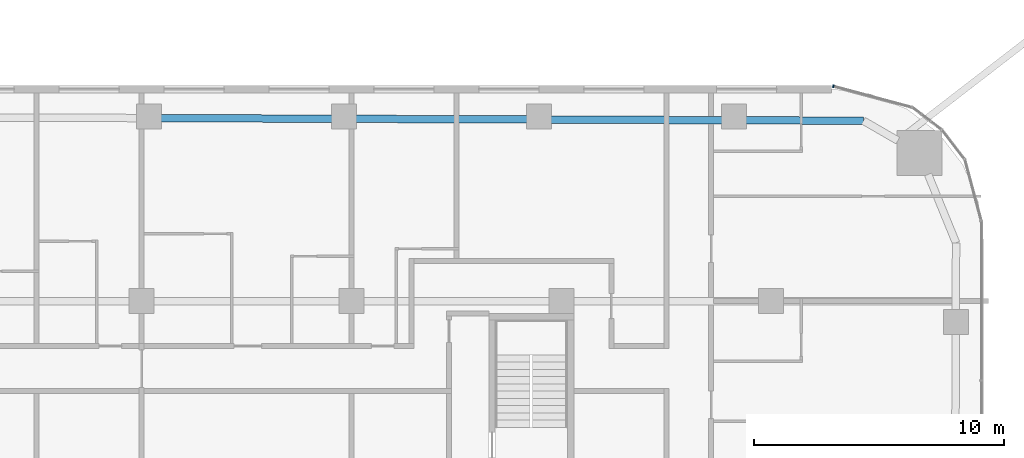
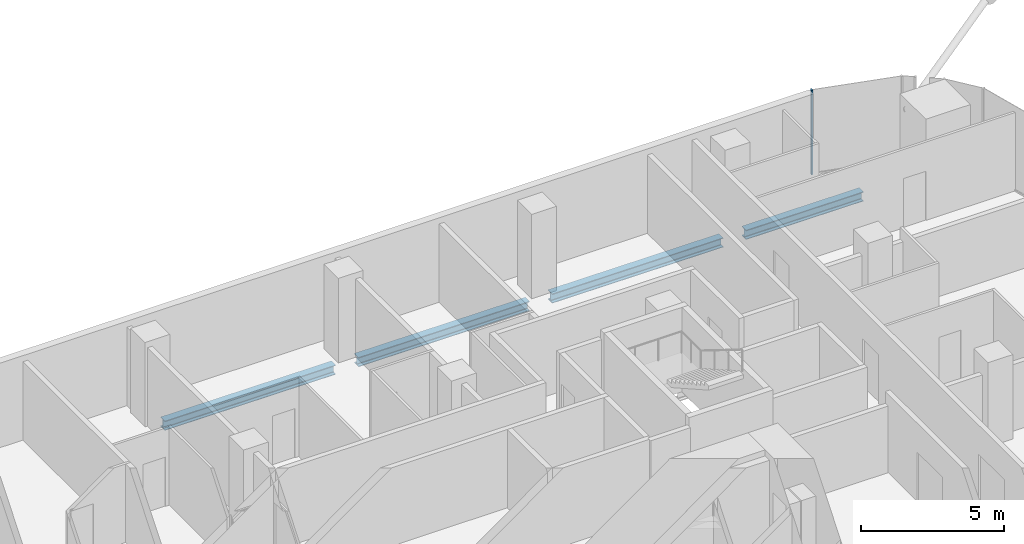
# One storey, part 13 of 35: 4 beams, 1 member, 1 element without a shape of its own.
"""IFC4 building model written with IfcOpenShell, lengths in metres."""

from ifc_helpers import new_model, si_unit, direction, frame, origin, origin_2d, place, context, subcontext, project, spatial, rectangle, i_section, extrude, material, layer, layer_set, material_profile, profile_set, type_object, element, aggregate, save


model = new_model("IFC4")

# Units and contexts
model_context = context("Model", 3, precision=1e-05, world=origin(), true_north=direction((0.0, 1.0)))
body_context = subcontext(model_context, "Body", "Model", "MODEL_VIEW")
ifc_project = project(units=[si_unit("LENGTHUNIT", "METRE"), si_unit("AREAUNIT", "SQUARE_METRE"), si_unit("VOLUMEUNIT", "CUBIC_METRE"), si_unit("PLANEANGLEUNIT", "RADIAN"), si_unit("MASSUNIT", "GRAM", prefix="KILO")], contexts=[model_context])

# Site, building, storey
site_placement = place(None, origin())
site = spatial("IfcSite", under=ifc_project, at=site_placement, CompositionType="ELEMENT")
building_placement = place(site_placement, origin())
building = spatial("IfcBuilding", under=site, at=building_placement, Name="Marenta Gate Hotel Tower", CompositionType="ELEMENT")
storey_placement = place(building_placement, frame((0.0, 0.0, 61.699951171875)))
storey = spatial("IfcBuildingStorey", under=building, at=storey_placement, Name="L13", CompositionType="ELEMENT", Elevation=61.699951171875)

# Beams
ifc_material_1 = material(Name="Steel S355", Category="steel")
ifc_material_profile_1 = material_profile(ifc_material_1, i_section(OverallWidth=0.300048828125, OverallDepth=0.39990234375, WebThickness=0.013427734375, FlangeThickness=0.02392578125, FilletRadius=0.027099609375, at=origin_2d()), Name="HEB 400")
ifc_profile_set_1 = profile_set([ifc_material_profile_1], Name="Steel S355")
beam_type = type_object("IfcBeamType", Name="Edge beam HEB 400", PredefinedType="SPANDREL", material=ifc_profile_set_1)
for number, where, z_axis, x_axis, name in (
    (1, (-3.44140625, 32.52587890625, -0.4599609375), (0.999993195747, -0.003688964684, 0.0), (0.003688964684, 0.999993195747, 0.0), "L13-EB-16"),
    (2, (4.361328125, 32.4970703125, -0.4599609375), (0.999993064268, -0.003724435008, 0.0), (0.003724435008, 0.999993064268, 0.0), "L13-EB-17"),
    (3, (12.1640625, 32.468017578125, -0.4599609375), (0.999993064268, -0.003724435008, 0.0), (0.003724435008, 0.999993064268, 0.0), "L13-EB-18"),
):
    element("IfcBeam", number, at=place(storey_placement, frame(where, z_axis=z_axis, x_axis=x_axis)), inside=storey, type_object=beam_type, Name=name, PredefinedType="SPANDREL", context=body_context, shape_type="SweptSolid", body=[
        extrude(i_section(OverallWidth=0.300048828125, OverallDepth=0.39990234375, WebThickness=0.013427734375, FlangeThickness=0.02392578125, FilletRadius=0.027099609375, at=origin_2d()), origin(), (0.0, 0.0, 1.0), 6.8828125),
    ])
beam_placement = place(storey_placement, frame((19.966796875, 32.43896484375, -0.4599609375), z_axis=(0.999993080272, -0.003720135464, 0.0), x_axis=(0.003720135464, 0.999993080272, 0.0)))
element("IfcBeam", 4, at=beam_placement, inside=storey, type_object=beam_type, Name="L13-EB-19", PredefinedType="SPANDREL", context=body_context, shape_type="SweptSolid", body=[
    extrude(i_section(OverallWidth=0.300048828125, OverallDepth=0.39990234375, WebThickness=0.013427734375, FlangeThickness=0.02392578125, FilletRadius=0.027099609375, at=origin_2d()), origin(), (0.0, 0.0, 1.0), 4.72509765625),
])

# Curtain wall, member
ifc_material_2 = material(Name="Tinted insulated glass in bronze anodised frame", Category="glass")
ifc_layer = layer(ifc_material_2, 0.1201171875)
ifc_layer_set = layer_set([ifc_layer], Name="Tinted insulated glass in bronze anodised frame")
curtain_wall_type = type_object("IfcCurtainWallType", Name="Tower unitised curtain wall CW1", PredefinedType="NOTDEFINED", material=ifc_layer_set)
curtain_wall_placement = place(storey_placement, origin())
curtain_wall = element("IfcCurtainWall", 5, at=curtain_wall_placement, inside=storey, type_object=curtain_wall_type, Name="CW1 run G24", PredefinedType="NOTDEFINED")
ifc_material_3 = material(Name="Bronze anodised aluminium", Category="aluminium")
ifc_material_profile_2 = material_profile(ifc_material_3, rectangle(XDim=0.1201171875, YDim=0.06005859375, at=origin_2d()), Name="Mullion CW1 60x120 bronze anodised aluminium")
ifc_profile_set_2 = profile_set([ifc_material_profile_2], Name="Bronze anodised aluminium")
member_type = type_object("IfcMemberType", Name="Mullion CW1 60x120 bronze anodised aluminium", PredefinedType="MULLION", material=ifc_profile_set_2)
member_placement = place(storey_placement, frame((23.485595703125, 33.80322265625, 0.0), z_axis=(0.0, 0.0, 1.0), x_axis=(-0.258807310344, -0.965928970532, 0.0)))
member = element("IfcMember", 6, at=member_placement, type_object=member_type, Name="CW1 mullion 2", PredefinedType="MULLION", context=body_context, shape_type="SweptSolid", body=[
    extrude(rectangle(XDim=0.1201171875, YDim=0.06005859375, at=origin_2d()), origin(), (0.0, 0.0, 1.0), 3.60009765625),
])
aggregate(curtain_wall, [member])

save(model, "model.ifc")
